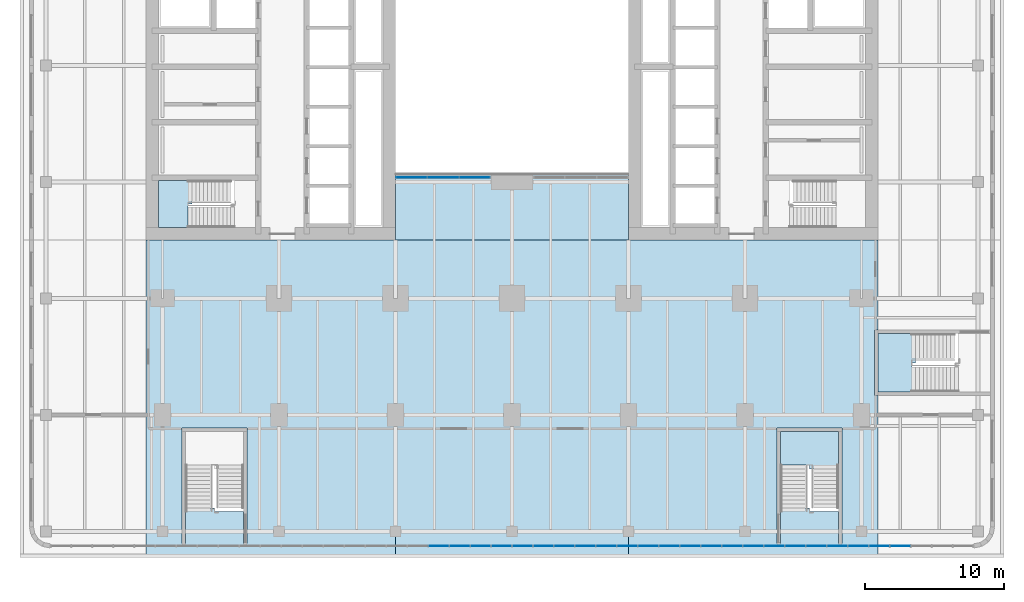
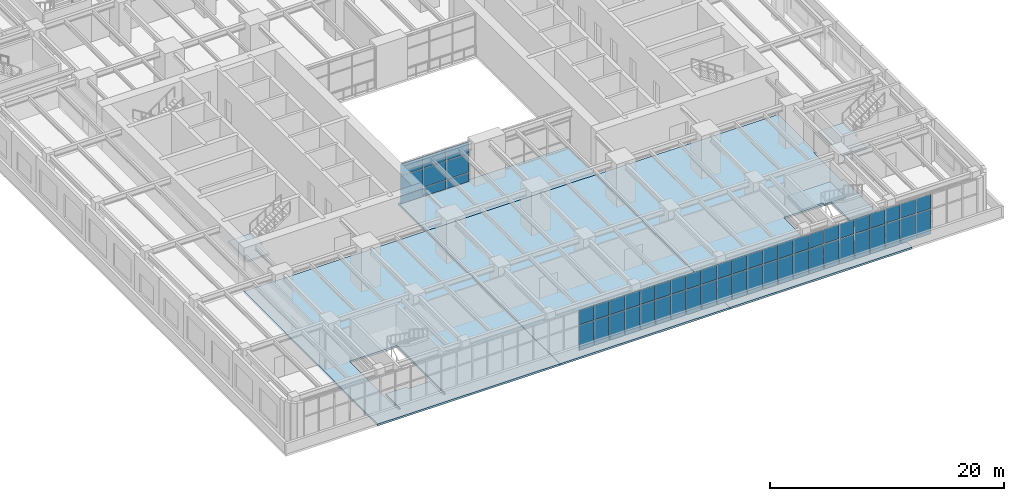
# One storey, part 14 of 30: 55 plates, 7 slabs, 5 elements without a shape of their own.
"""IFC4 building model written with IfcOpenShell, lengths in metres."""

import ifcopenshell
import ifcopenshell.guid

model = None  # the IFC model being written
_history = None  # IfcOwnerHistory: only IFC2X3 demands one
_inside = {}  # id of a spatial element -> (the spatial element, [elements in it])
_under = {}  # id of a project, library or spatial element -> (it, [spatial elements below it])
_declared = {}  # id of a project -> (the project, [libraries it declares])
_typed = {}  # id of a type object -> (the type object, [elements of that type])
_made_of = {}  # id of a material, layer set ... -> (it, [elements and type objects made of it])


def new_model(schema):
    """Start an empty IFC model of exactly this schema.

    Asked for "IFC4X3", IfcOpenShell would pick the latest addendum, in which some entities
    have other attributes; the version numbers below select the first issue.
    IFC2X3 requires an IfcOwnerHistory on every rooted entity: one is made here for all.
    """
    global model, _history
    if schema == "IFC4X3":
        model = ifcopenshell.file(schema_version=(4, 3, 0, 0))
    else:
        model = ifcopenshell.file(schema=schema)
    _inside.clear()
    _under.clear()
    _declared.clear()
    _typed.clear()
    _made_of.clear()
    _history = None
    if model.schema == "IFC2X3":
        org = make("IfcOrganization", Name="unknown")
        user = make(
            "IfcPersonAndOrganization",
            ThePerson=make("IfcPerson", FamilyName="unknown"),
            TheOrganization=org,
        )
        app = make(
            "IfcApplication",
            ApplicationDeveloper=org,
            Version="unknown",
            ApplicationFullName="unknown",
            ApplicationIdentifier="unknown",
        )
        _history = make(
            "IfcOwnerHistory",
            OwningUser=user,
            OwningApplication=app,
            ChangeAction="ADDED",
            CreationDate=0,
        )
    return model


def make(cls, **values):
    """One entity of the class cls with the attributes given. An attribute that is None is left unset."""
    return model.create_entity(
        cls, **{name: value for name, value in values.items() if value is not None}
    )


def rooted(cls, **values):
    """An entity with a GlobalId (a new one), such as an element, a storey or a relation."""
    return make(cls, GlobalId=ifcopenshell.guid.new(), OwnerHistory=_history, **values)


def si_unit(unit_type, name, prefix=None):
    """IfcSIUnit, for example si_unit("LENGTHUNIT", "METRE", prefix="MILLI")."""
    return make("IfcSIUnit", UnitType=unit_type, Prefix=prefix, Name=name)


def assignment(units):
    """IfcUnitAssignment: the units of a project."""
    return None if units is None else make("IfcUnitAssignment", Units=units)


def point(xyz):
    """IfcCartesianPoint."""
    return None if xyz is None else make("IfcCartesianPoint", Coordinates=xyz)


def direction(xyz):
    """IfcDirection."""
    return None if xyz is None else make("IfcDirection", DirectionRatios=xyz)


def frame(location, z_axis=None, x_axis=None):
    """IfcAxis2Placement3D, a coordinate frame: its origin and axes. An axis left out is left unset."""
    return make(
        "IfcAxis2Placement3D",
        Location=point(location),
        Axis=direction(z_axis),
        RefDirection=direction(x_axis),
    )


def frame_2d(location, x_axis=None):
    """IfcAxis2Placement2D, a coordinate frame in the plane: its origin and x axis."""
    return make(
        "IfcAxis2Placement2D", Location=point(location), RefDirection=direction(x_axis)
    )


def origin():
    """The frame at (0, 0, 0) with its axes left unset."""
    return frame((0.0, 0.0, 0.0))


def origin_2d():
    """The frame at (0, 0) in the plane with its x axis left unset."""
    return frame_2d((0.0, 0.0))


def place(relative_to, where):
    """IfcLocalPlacement: puts the frame where relative to a parent placement (None: the world)."""
    return make(
        "IfcLocalPlacement", PlacementRelTo=relative_to, RelativePlacement=where
    )


def context(
    kind, dimensions, precision=None, world=None, true_north=None, identifier=None
):
    """IfcGeometricRepresentationContext, for example the 3D "Model" context."""
    return make(
        "IfcGeometricRepresentationContext",
        ContextIdentifier=identifier,
        ContextType=kind,
        CoordinateSpaceDimension=dimensions,
        Precision=precision,
        WorldCoordinateSystem=world,
        TrueNorth=true_north,
    )


def subcontext(parent, identifier, kind, view, scale=None):
    """IfcGeometricRepresentationSubContext, for example "Body" below "Model"."""
    return make(
        "IfcGeometricRepresentationSubContext",
        ContextIdentifier=identifier,
        ContextType=kind,
        ParentContext=parent,
        TargetScale=scale,
        TargetView=view,
    )


def project(units=None, contexts=None):
    """IfcProject with its units and contexts."""
    return rooted(
        "IfcProject",
        Name="project",
        RepresentationContexts=contexts,
        UnitsInContext=assignment(units),
    )


def spatial(cls, under=None, at=None, **own):
    """A site, building, storey or space (cls), placed at a placement, below another one or the project."""
    s = rooted(cls, ObjectPlacement=at, **own)
    if under is not None:
        _under.setdefault(under.id(), (under, []))[1].append(s)
    return s


def polyline(points):
    """IfcPolyline through the points."""
    return make("IfcPolyline", Points=[point(p) for p in points])


def profile(cls, at=None, kind="AREA", **sizes):
    """A parametric profile (cls). Its sizes go by their IFC names, for example OverallWidth=200.0."""
    return make(cls, ProfileType=kind, Position=at, **sizes)


def rectangle(**sizes):
    """IfcRectangleProfileDef."""
    return profile("IfcRectangleProfileDef", **sizes)


def outline(outer, holes=None, kind="AREA"):
    """IfcArbitraryClosedProfileDef: a profile drawn as a closed curve; with holes, ...WithVoids."""
    if holes is None:
        return make("IfcArbitraryClosedProfileDef", ProfileType=kind, OuterCurve=outer)
    return make(
        "IfcArbitraryProfileDefWithVoids",
        ProfileType=kind,
        OuterCurve=outer,
        InnerCurves=holes,
    )


def extrude(swept, where, along, depth):
    """IfcExtrudedAreaSolid: the profile swept, set in the frame where, extruded along a direction by depth."""
    return make(
        "IfcExtrudedAreaSolid",
        SweptArea=swept,
        Position=where,
        ExtrudedDirection=direction(along),
        Depth=depth,
    )


def shape(context_of_items, identifier, shape_type, items):
    """IfcShapeRepresentation: the items that make up one representation, for example the "Body"."""
    return make(
        "IfcShapeRepresentation",
        ContextOfItems=context_of_items,
        RepresentationIdentifier=identifier,
        RepresentationType=shape_type,
        Items=items,
    )


def material(Name=None, Category=None):
    """IfcMaterial."""
    return make("IfcMaterial", Name=Name, Category=Category)


def layer(
    of_material, thickness, ventilated=None, Name=None, Category=None, Priority=None
):
    """IfcMaterialLayer: one layer of a wall or slab, of a material (None: an air gap)."""
    return make(
        "IfcMaterialLayer",
        Material=of_material,
        LayerThickness=thickness,
        IsVentilated=ventilated,
        Name=Name,
        Category=Category,
        Priority=Priority,
    )


def layer_set(layers, Name=None):
    """IfcMaterialLayerSet."""
    return make("IfcMaterialLayerSet", MaterialLayers=layers, LayerSetName=Name)


def made_of(thing, what):
    """Note that an element or type object is made of a material, layer set ...; save() writes the relation."""
    if what is not None:
        _made_of.setdefault(what.id(), (what, []))[1].append(thing)
    return thing


def type_object(cls, material=None, **own):
    """A type object (cls), such as IfcWallType, which elements share."""
    return made_of(rooted(cls, **own), material)


def element(
    cls,
    number,
    at=None,
    inside=None,
    cuts=None,
    type_object=None,
    material=None,
    context=None,
    identifier="Body",
    shape_type=None,
    held_by="IfcProductDefinitionShape",
    body=None,
    shapes=None,
    **own,
):
    """One element of the class cls, such as IfcWall. Its Tag is "e" and its number.

    at: its placement. inside: the storey or other place that contains it. cuts: it is an
    opening in that element (IfcRelVoidsElement). A single representation is given by context,
    identifier, shape_type and body (its items); several are given by shapes. held_by: the class
    of the entity that holds the representations. save() writes the other relations.
    """
    e = rooted(cls, Tag="e%d" % number, ObjectPlacement=at, **own)
    if body is not None:
        shapes = [shape(context, identifier, shape_type, body)]
    if shapes is not None:
        e.Representation = make(held_by, Representations=shapes)
    if inside is not None:
        _inside.setdefault(inside.id(), (inside, []))[1].append(e)
    if cuts is not None:
        rooted(
            "IfcRelVoidsElement", RelatingBuildingElement=cuts, RelatedOpeningElement=e
        )
    if type_object is not None:
        _typed.setdefault(type_object.id(), (type_object, []))[1].append(e)
    return made_of(e, material)


def aggregate(whole, parts):
    """IfcRelAggregates: a whole, such as a stair, and the parts it consists of."""
    return rooted("IfcRelAggregates", RelatingObject=whole, RelatedObjects=parts)


def save(model, path):
    """Write the relations noted so far, then the file.

    IfcRelAggregates (storeys below a building ...), IfcRelContainedInSpatialStructure (elements
    in a storey), IfcRelDefinesByType, IfcRelAssociatesMaterial and IfcRelDeclares: one each for
    every whole, place, type object, material and project.
    """
    for whole, parts in _under.values():
        aggregate(whole, parts)
    for where, things in _inside.values():
        rooted(
            "IfcRelContainedInSpatialStructure",
            RelatedElements=things,
            RelatingStructure=where,
        )
    for kind, things in _typed.values():
        rooted("IfcRelDefinesByType", RelatedObjects=things, RelatingType=kind)
    for what, things in _made_of.values():
        rooted("IfcRelAssociatesMaterial", RelatedObjects=things, RelatingMaterial=what)
    for by, libraries in _declared.values():
        rooted("IfcRelDeclares", RelatingContext=by, RelatedDefinitions=libraries)
    model.write(path)


model = new_model("IFC4")

# Units and contexts
model_context = context("Model", 3, precision=1e-05, world=origin(), true_north=direction((0.0, 1.0)))
body_context = subcontext(model_context, "Body", "Model", "MODEL_VIEW")
ifc_project = project(units=[si_unit("LENGTHUNIT", "METRE"), si_unit("AREAUNIT", "SQUARE_METRE"), si_unit("VOLUMEUNIT", "CUBIC_METRE"), si_unit("PLANEANGLEUNIT", "RADIAN"), si_unit("MASSUNIT", "GRAM", prefix="KILO")], contexts=[model_context])

# Site, building, storey
site_placement = place(None, origin())
site = spatial("IfcSite", under=ifc_project, at=site_placement, CompositionType="ELEMENT")
building_placement = place(site_placement, origin())
building = spatial("IfcBuilding", under=site, at=building_placement, Name="Claustro Exchange Tower", CompositionType="ELEMENT")
storey_placement = place(building_placement, frame((0.0, 0.0, 5.39990234375)))
storey = spatial("IfcBuildingStorey", under=building, at=storey_placement, Name="L01", CompositionType="ELEMENT", Elevation=5.39990234375)

# Curtain wall, plates
ifc_material_1 = material(Name="Aluminium frame, clear double glazing", Category="aluminium")
curtain_wall_type_1 = type_object("IfcCurtainWallType", Name="CW1 storefront curtain wall", PredefinedType="USERDEFINED", material=ifc_material_1)
curtain_wall_1_placement = place(storey_placement, origin())
curtain_wall_1 = element("IfcCurtainWall", 1, at=curtain_wall_1_placement, inside=storey, type_object=curtain_wall_type_1, Name="Curtain wall CW1 L01", ObjectType="STICK CURTAIN WALL", PredefinedType="USERDEFINED")
ifc_material_2 = material(Name="Clear double glazing", Category="glass")
ifc_layer_1 = layer(ifc_material_2, 0.031982421875)
ifc_layer_set_1 = layer_set([ifc_layer_1], Name="Clear double glazing")
plate_type_1 = type_object("IfcPlateType", Name="CW1-P 32 glazed panel", PredefinedType="CURTAIN_PANEL", material=ifc_layer_set_1)
plate_1_placement = place(storey_placement, frame((19.904541015625, -9.449951171875, 0.0751953125), z_axis=(0.0, 0.0, 1.0), x_axis=(1.0, 0.0, 0.0)))
plate_1 = element("IfcPlate", 2, at=plate_1_placement, type_object=plate_type_1, Name="CW1 panel 19.1", PredefinedType="CURTAIN_PANEL", context=body_context, shape_type="SweptSolid", body=[
    extrude(rectangle(XDim=1.43798828125, YDim=0.031982421875, at=origin_2d()), origin(), (0.0, 0.0, 1.0), 2.58740234375),
])
plate_2_placement = place(storey_placement, frame((19.904541015625, -9.449951171875, 2.73779296875), z_axis=(0.0, 0.0, 1.0), x_axis=(1.0, 0.0, 0.0)))
plate_2 = element("IfcPlate", 3, at=plate_2_placement, type_object=plate_type_1, Name="CW1 panel 19.2", PredefinedType="CURTAIN_PANEL", context=body_context, shape_type="SweptSolid", body=[
    extrude(rectangle(XDim=1.43798828125, YDim=0.031982421875, at=origin_2d()), origin(), (0.0, 0.0, 1.0), 1.487548828125),
])
plate_3_placement = place(storey_placement, frame((21.41748046875, -9.449951171875, 0.0751953125), z_axis=(0.0, 0.0, 1.0), x_axis=(1.0, 0.0, 0.0)))
plate_3 = element("IfcPlate", 4, at=plate_3_placement, type_object=plate_type_1, Name="CW1 panel 20.1", PredefinedType="CURTAIN_PANEL", context=body_context, shape_type="SweptSolid", body=[
    extrude(rectangle(XDim=1.43798828125, YDim=0.031982421875, at=origin_2d()), origin(), (0.0, 0.0, 1.0), 2.58740234375),
])
plate_4_placement = place(storey_placement, frame((21.41748046875, -9.449951171875, 2.73779296875), z_axis=(0.0, 0.0, 1.0), x_axis=(1.0, 0.0, 0.0)))
plate_4 = element("IfcPlate", 5, at=plate_4_placement, type_object=plate_type_1, Name="CW1 panel 20.2", PredefinedType="CURTAIN_PANEL", context=body_context, shape_type="SweptSolid", body=[
    extrude(rectangle(XDim=1.43798828125, YDim=0.031982421875, at=origin_2d()), origin(), (0.0, 0.0, 1.0), 1.487548828125),
])
plate_5_placement = place(storey_placement, frame((22.9306640625, -9.449951171875, 0.0751953125), z_axis=(0.0, 0.0, 1.0), x_axis=(1.0, 0.0, 0.0)))
plate_5 = element("IfcPlate", 6, at=plate_5_placement, type_object=plate_type_1, Name="CW1 panel 21.1", PredefinedType="CURTAIN_PANEL", context=body_context, shape_type="SweptSolid", body=[
    extrude(rectangle(XDim=1.43798828125, YDim=0.031982421875, at=origin_2d()), origin(), (0.0, 0.0, 1.0), 2.58740234375),
])
plate_6_placement = place(storey_placement, frame((22.9306640625, -9.449951171875, 2.73779296875), z_axis=(0.0, 0.0, 1.0), x_axis=(1.0, 0.0, 0.0)))
plate_6 = element("IfcPlate", 7, at=plate_6_placement, type_object=plate_type_1, Name="CW1 panel 21.2", PredefinedType="CURTAIN_PANEL", context=body_context, shape_type="SweptSolid", body=[
    extrude(rectangle(XDim=1.43798828125, YDim=0.031982421875, at=origin_2d()), origin(), (0.0, 0.0, 1.0), 1.487548828125),
])
plate_7_placement = place(storey_placement, frame((24.443603515625, -9.449951171875, 0.0751953125), z_axis=(0.0, 0.0, 1.0), x_axis=(1.0, 0.0, 0.0)))
plate_7 = element("IfcPlate", 8, at=plate_7_placement, type_object=plate_type_1, Name="CW1 panel 22.1", PredefinedType="CURTAIN_PANEL", context=body_context, shape_type="SweptSolid", body=[
    extrude(rectangle(XDim=1.43798828125, YDim=0.031982421875, at=origin_2d()), origin(), (0.0, 0.0, 1.0), 2.58740234375),
])
plate_8_placement = place(storey_placement, frame((24.443603515625, -9.449951171875, 2.73779296875), z_axis=(0.0, 0.0, 1.0), x_axis=(1.0, 0.0, 0.0)))
plate_8 = element("IfcPlate", 9, at=plate_8_placement, type_object=plate_type_1, Name="CW1 panel 22.2", PredefinedType="CURTAIN_PANEL", context=body_context, shape_type="SweptSolid", body=[
    extrude(rectangle(XDim=1.43798828125, YDim=0.031982421875, at=origin_2d()), origin(), (0.0, 0.0, 1.0), 1.487548828125),
])
plate_9_placement = place(storey_placement, frame((25.95654296875, -9.449951171875, 0.0751953125), z_axis=(0.0, 0.0, 1.0), x_axis=(1.0, 0.0, 0.0)))
plate_9 = element("IfcPlate", 10, at=plate_9_placement, type_object=plate_type_1, Name="CW1 panel 23.1", PredefinedType="CURTAIN_PANEL", context=body_context, shape_type="SweptSolid", body=[
    extrude(rectangle(XDim=1.43798828125, YDim=0.031982421875, at=origin_2d()), origin(), (0.0, 0.0, 1.0), 2.58740234375),
])
plate_10_placement = place(storey_placement, frame((25.95654296875, -9.449951171875, 2.73779296875), z_axis=(0.0, 0.0, 1.0), x_axis=(1.0, 0.0, 0.0)))
plate_10 = element("IfcPlate", 11, at=plate_10_placement, type_object=plate_type_1, Name="CW1 panel 23.2", PredefinedType="CURTAIN_PANEL", context=body_context, shape_type="SweptSolid", body=[
    extrude(rectangle(XDim=1.43798828125, YDim=0.031982421875, at=origin_2d()), origin(), (0.0, 0.0, 1.0), 1.487548828125),
])
plate_11_placement = place(storey_placement, frame((27.469482421875, -9.449951171875, 0.0751953125), z_axis=(0.0, 0.0, 1.0), x_axis=(1.0, 0.0, 0.0)))
plate_11 = element("IfcPlate", 12, at=plate_11_placement, type_object=plate_type_1, Name="CW1 panel 24.1", PredefinedType="CURTAIN_PANEL", context=body_context, shape_type="SweptSolid", body=[
    extrude(rectangle(XDim=1.43798828125, YDim=0.031982421875, at=origin_2d()), origin(), (0.0, 0.0, 1.0), 2.58740234375),
])
plate_12_placement = place(storey_placement, frame((27.469482421875, -9.449951171875, 2.73779296875), z_axis=(0.0, 0.0, 1.0), x_axis=(1.0, 0.0, 0.0)))
plate_12 = element("IfcPlate", 13, at=plate_12_placement, type_object=plate_type_1, Name="CW1 panel 24.2", PredefinedType="CURTAIN_PANEL", context=body_context, shape_type="SweptSolid", body=[
    extrude(rectangle(XDim=1.43798828125, YDim=0.031982421875, at=origin_2d()), origin(), (0.0, 0.0, 1.0), 1.487548828125),
])
plate_13_placement = place(storey_placement, frame((28.982421875, -9.449951171875, 0.0751953125), z_axis=(0.0, 0.0, 1.0), x_axis=(1.0, 0.0, 0.0)))
plate_13 = element("IfcPlate", 14, at=plate_13_placement, type_object=plate_type_1, Name="CW1 panel 25.1", PredefinedType="CURTAIN_PANEL", context=body_context, shape_type="SweptSolid", body=[
    extrude(rectangle(XDim=1.43798828125, YDim=0.031982421875, at=origin_2d()), origin(), (0.0, 0.0, 1.0), 2.58740234375),
])
plate_14_placement = place(storey_placement, frame((28.982421875, -9.449951171875, 2.73779296875), z_axis=(0.0, 0.0, 1.0), x_axis=(1.0, 0.0, 0.0)))
plate_14 = element("IfcPlate", 15, at=plate_14_placement, type_object=plate_type_1, Name="CW1 panel 25.2", PredefinedType="CURTAIN_PANEL", context=body_context, shape_type="SweptSolid", body=[
    extrude(rectangle(XDim=1.43798828125, YDim=0.031982421875, at=origin_2d()), origin(), (0.0, 0.0, 1.0), 1.487548828125),
])
plate_15_placement = place(storey_placement, frame((30.495361328125, -9.449951171875, 0.0751953125), z_axis=(0.0, 0.0, 1.0), x_axis=(1.0, 0.0, 0.0)))
plate_15 = element("IfcPlate", 16, at=plate_15_placement, type_object=plate_type_1, Name="CW1 panel 26.1", PredefinedType="CURTAIN_PANEL", context=body_context, shape_type="SweptSolid", body=[
    extrude(rectangle(XDim=1.43798828125, YDim=0.031982421875, at=origin_2d()), origin(), (0.0, 0.0, 1.0), 2.58740234375),
])
plate_16_placement = place(storey_placement, frame((30.495361328125, -9.449951171875, 2.73779296875), z_axis=(0.0, 0.0, 1.0), x_axis=(1.0, 0.0, 0.0)))
plate_16 = element("IfcPlate", 17, at=plate_16_placement, type_object=plate_type_1, Name="CW1 panel 26.2", PredefinedType="CURTAIN_PANEL", context=body_context, shape_type="SweptSolid", body=[
    extrude(rectangle(XDim=1.43798828125, YDim=0.031982421875, at=origin_2d()), origin(), (0.0, 0.0, 1.0), 1.487548828125),
])
plate_17_placement = place(storey_placement, frame((32.00830078125, -9.449951171875, 0.0751953125), z_axis=(0.0, 0.0, 1.0), x_axis=(1.0, 0.0, 0.0)))
plate_17 = element("IfcPlate", 18, at=plate_17_placement, type_object=plate_type_1, Name="CW1 panel 27.1", PredefinedType="CURTAIN_PANEL", context=body_context, shape_type="SweptSolid", body=[
    extrude(rectangle(XDim=1.43798828125, YDim=0.031982421875, at=origin_2d()), origin(), (0.0, 0.0, 1.0), 2.58740234375),
])
plate_18_placement = place(storey_placement, frame((32.00830078125, -9.449951171875, 2.73779296875), z_axis=(0.0, 0.0, 1.0), x_axis=(1.0, 0.0, 0.0)))
plate_18 = element("IfcPlate", 19, at=plate_18_placement, type_object=plate_type_1, Name="CW1 panel 27.2", PredefinedType="CURTAIN_PANEL", context=body_context, shape_type="SweptSolid", body=[
    extrude(rectangle(XDim=1.43798828125, YDim=0.031982421875, at=origin_2d()), origin(), (0.0, 0.0, 1.0), 1.487548828125),
])
plate_19_placement = place(storey_placement, frame((33.521240234375, -9.449951171875, 0.0751953125), z_axis=(0.0, 0.0, 1.0), x_axis=(1.0, 0.0, 0.0)))
plate_19 = element("IfcPlate", 20, at=plate_19_placement, type_object=plate_type_1, Name="CW1 panel 28.1", PredefinedType="CURTAIN_PANEL", context=body_context, shape_type="SweptSolid", body=[
    extrude(rectangle(XDim=1.43798828125, YDim=0.031982421875, at=origin_2d()), origin(), (0.0, 0.0, 1.0), 2.58740234375),
])
plate_20_placement = place(storey_placement, frame((33.521240234375, -9.449951171875, 2.73779296875), z_axis=(0.0, 0.0, 1.0), x_axis=(1.0, 0.0, 0.0)))
plate_20 = element("IfcPlate", 21, at=plate_20_placement, type_object=plate_type_1, Name="CW1 panel 28.2", PredefinedType="CURTAIN_PANEL", context=body_context, shape_type="SweptSolid", body=[
    extrude(rectangle(XDim=1.43798828125, YDim=0.031982421875, at=origin_2d()), origin(), (0.0, 0.0, 1.0), 1.487548828125),
])
plate_21_placement = place(storey_placement, frame((35.0341796875, -9.449951171875, 0.0751953125), z_axis=(0.0, 0.0, 1.0), x_axis=(1.0, 0.0, 0.0)))
plate_21 = element("IfcPlate", 22, at=plate_21_placement, type_object=plate_type_1, Name="CW1 panel 29.1", PredefinedType="CURTAIN_PANEL", context=body_context, shape_type="SweptSolid", body=[
    extrude(rectangle(XDim=1.43798828125, YDim=0.031982421875, at=origin_2d()), origin(), (0.0, 0.0, 1.0), 2.58740234375),
])
plate_22_placement = place(storey_placement, frame((35.0341796875, -9.449951171875, 2.73779296875), z_axis=(0.0, 0.0, 1.0), x_axis=(1.0, 0.0, 0.0)))
plate_22 = element("IfcPlate", 23, at=plate_22_placement, type_object=plate_type_1, Name="CW1 panel 29.2", PredefinedType="CURTAIN_PANEL", context=body_context, shape_type="SweptSolid", body=[
    extrude(rectangle(XDim=1.43798828125, YDim=0.031982421875, at=origin_2d()), origin(), (0.0, 0.0, 1.0), 1.487548828125),
])
plate_23_placement = place(storey_placement, frame((36.547119140625, -9.449951171875, 0.0751953125), z_axis=(0.0, 0.0, 1.0), x_axis=(1.0, 0.0, 0.0)))
plate_23 = element("IfcPlate", 24, at=plate_23_placement, type_object=plate_type_1, Name="CW1 panel 30.1", PredefinedType="CURTAIN_PANEL", context=body_context, shape_type="SweptSolid", body=[
    extrude(rectangle(XDim=1.43798828125, YDim=0.031982421875, at=origin_2d()), origin(), (0.0, 0.0, 1.0), 2.58740234375),
])
plate_24_placement = place(storey_placement, frame((36.547119140625, -9.449951171875, 2.73779296875), z_axis=(0.0, 0.0, 1.0), x_axis=(1.0, 0.0, 0.0)))
plate_24 = element("IfcPlate", 25, at=plate_24_placement, type_object=plate_type_1, Name="CW1 panel 30.2", PredefinedType="CURTAIN_PANEL", context=body_context, shape_type="SweptSolid", body=[
    extrude(rectangle(XDim=1.43798828125, YDim=0.031982421875, at=origin_2d()), origin(), (0.0, 0.0, 1.0), 1.487548828125),
])
plate_25_placement = place(storey_placement, frame((38.060302734375, -9.449951171875, 0.0751953125), z_axis=(0.0, 0.0, 1.0), x_axis=(1.0, 0.0, 0.0)))
plate_25 = element("IfcPlate", 26, at=plate_25_placement, type_object=plate_type_1, Name="CW1 panel 31.1", PredefinedType="CURTAIN_PANEL", context=body_context, shape_type="SweptSolid", body=[
    extrude(rectangle(XDim=1.43798828125, YDim=0.031982421875, at=origin_2d()), origin(), (0.0, 0.0, 1.0), 2.58740234375),
])
plate_26_placement = place(storey_placement, frame((38.060302734375, -9.449951171875, 2.73779296875), z_axis=(0.0, 0.0, 1.0), x_axis=(1.0, 0.0, 0.0)))
plate_26 = element("IfcPlate", 27, at=plate_26_placement, type_object=plate_type_1, Name="CW1 panel 31.2", PredefinedType="CURTAIN_PANEL", context=body_context, shape_type="SweptSolid", body=[
    extrude(rectangle(XDim=1.43798828125, YDim=0.031982421875, at=origin_2d()), origin(), (0.0, 0.0, 1.0), 1.487548828125),
])
plate_27_placement = place(storey_placement, frame((39.5732421875, -9.449951171875, 0.0751953125), z_axis=(0.0, 0.0, 1.0), x_axis=(1.0, 0.0, 0.0)))
plate_27 = element("IfcPlate", 28, at=plate_27_placement, type_object=plate_type_1, Name="CW1 panel 32.1", PredefinedType="CURTAIN_PANEL", context=body_context, shape_type="SweptSolid", body=[
    extrude(rectangle(XDim=1.43798828125, YDim=0.031982421875, at=origin_2d()), origin(), (0.0, 0.0, 1.0), 2.58740234375),
])
plate_28_placement = place(storey_placement, frame((39.5732421875, -9.449951171875, 2.73779296875), z_axis=(0.0, 0.0, 1.0), x_axis=(1.0, 0.0, 0.0)))
plate_28 = element("IfcPlate", 29, at=plate_28_placement, type_object=plate_type_1, Name="CW1 panel 32.2", PredefinedType="CURTAIN_PANEL", context=body_context, shape_type="SweptSolid", body=[
    extrude(rectangle(XDim=1.43798828125, YDim=0.031982421875, at=origin_2d()), origin(), (0.0, 0.0, 1.0), 1.487548828125),
])
plate_29_placement = place(storey_placement, frame((41.086181640625, -9.449951171875, 0.0751953125), z_axis=(0.0, 0.0, 1.0), x_axis=(1.0, 0.0, 0.0)))
plate_29 = element("IfcPlate", 30, at=plate_29_placement, type_object=plate_type_1, Name="CW1 panel 33.1", PredefinedType="CURTAIN_PANEL", context=body_context, shape_type="SweptSolid", body=[
    extrude(rectangle(XDim=1.43798828125, YDim=0.031982421875, at=origin_2d()), origin(), (0.0, 0.0, 1.0), 2.58740234375),
])
plate_30_placement = place(storey_placement, frame((41.086181640625, -9.449951171875, 2.73779296875), z_axis=(0.0, 0.0, 1.0), x_axis=(1.0, 0.0, 0.0)))
plate_30 = element("IfcPlate", 31, at=plate_30_placement, type_object=plate_type_1, Name="CW1 panel 33.2", PredefinedType="CURTAIN_PANEL", context=body_context, shape_type="SweptSolid", body=[
    extrude(rectangle(XDim=1.43798828125, YDim=0.031982421875, at=origin_2d()), origin(), (0.0, 0.0, 1.0), 1.487548828125),
])
plate_31_placement = place(storey_placement, frame((42.59912109375, -9.449951171875, 0.0751953125), z_axis=(0.0, 0.0, 1.0), x_axis=(1.0, 0.0, 0.0)))
plate_31 = element("IfcPlate", 32, at=plate_31_placement, type_object=plate_type_1, Name="CW1 panel 34.1", PredefinedType="CURTAIN_PANEL", context=body_context, shape_type="SweptSolid", body=[
    extrude(rectangle(XDim=1.43798828125, YDim=0.031982421875, at=origin_2d()), origin(), (0.0, 0.0, 1.0), 2.58740234375),
])
plate_32_placement = place(storey_placement, frame((42.59912109375, -9.449951171875, 2.73779296875), z_axis=(0.0, 0.0, 1.0), x_axis=(1.0, 0.0, 0.0)))
plate_32 = element("IfcPlate", 33, at=plate_32_placement, type_object=plate_type_1, Name="CW1 panel 34.2", PredefinedType="CURTAIN_PANEL", context=body_context, shape_type="SweptSolid", body=[
    extrude(rectangle(XDim=1.43798828125, YDim=0.031982421875, at=origin_2d()), origin(), (0.0, 0.0, 1.0), 1.487548828125),
])
plate_33_placement = place(storey_placement, frame((44.112060546875, -9.449951171875, 0.0751953125), z_axis=(0.0, 0.0, 1.0), x_axis=(1.0, 0.0, 0.0)))
plate_33 = element("IfcPlate", 34, at=plate_33_placement, type_object=plate_type_1, Name="CW1 panel 35.1", PredefinedType="CURTAIN_PANEL", context=body_context, shape_type="SweptSolid", body=[
    extrude(rectangle(XDim=1.43798828125, YDim=0.031982421875, at=origin_2d()), origin(), (0.0, 0.0, 1.0), 2.58740234375),
])
plate_34_placement = place(storey_placement, frame((44.112060546875, -9.449951171875, 2.73779296875), z_axis=(0.0, 0.0, 1.0), x_axis=(1.0, 0.0, 0.0)))
plate_34 = element("IfcPlate", 35, at=plate_34_placement, type_object=plate_type_1, Name="CW1 panel 35.2", PredefinedType="CURTAIN_PANEL", context=body_context, shape_type="SweptSolid", body=[
    extrude(rectangle(XDim=1.43798828125, YDim=0.031982421875, at=origin_2d()), origin(), (0.0, 0.0, 1.0), 1.487548828125),
])
plate_35_placement = place(storey_placement, frame((45.625, -9.449951171875, 0.0751953125), z_axis=(0.0, 0.0, 1.0), x_axis=(1.0, 0.0, 0.0)))
plate_35 = element("IfcPlate", 36, at=plate_35_placement, type_object=plate_type_1, Name="CW1 panel 36.1", PredefinedType="CURTAIN_PANEL", context=body_context, shape_type="SweptSolid", body=[
    extrude(rectangle(XDim=1.43798828125, YDim=0.031982421875, at=origin_2d()), origin(), (0.0, 0.0, 1.0), 2.58740234375),
])
plate_36_placement = place(storey_placement, frame((45.625, -9.449951171875, 2.73779296875), z_axis=(0.0, 0.0, 1.0), x_axis=(1.0, 0.0, 0.0)))
plate_36 = element("IfcPlate", 37, at=plate_36_placement, type_object=plate_type_1, Name="CW1 panel 36.2", PredefinedType="CURTAIN_PANEL", context=body_context, shape_type="SweptSolid", body=[
    extrude(rectangle(XDim=1.43798828125, YDim=0.031982421875, at=origin_2d()), origin(), (0.0, 0.0, 1.0), 1.487548828125),
])
plate_37_placement = place(storey_placement, frame((47.137939453125, -9.449951171875, 0.0751953125), z_axis=(0.0, 0.0, 1.0), x_axis=(1.0, 0.0, 0.0)))
plate_37 = element("IfcPlate", 38, at=plate_37_placement, type_object=plate_type_1, Name="CW1 panel 37.1", PredefinedType="CURTAIN_PANEL", context=body_context, shape_type="SweptSolid", body=[
    extrude(rectangle(XDim=1.43798828125, YDim=0.031982421875, at=origin_2d()), origin(), (0.0, 0.0, 1.0), 2.58740234375),
])
plate_38_placement = place(storey_placement, frame((47.137939453125, -9.449951171875, 2.73779296875), z_axis=(0.0, 0.0, 1.0), x_axis=(1.0, 0.0, 0.0)))
plate_38 = element("IfcPlate", 39, at=plate_38_placement, type_object=plate_type_1, Name="CW1 panel 37.2", PredefinedType="CURTAIN_PANEL", context=body_context, shape_type="SweptSolid", body=[
    extrude(rectangle(XDim=1.43798828125, YDim=0.031982421875, at=origin_2d()), origin(), (0.0, 0.0, 1.0), 1.487548828125),
])
plate_39_placement = place(storey_placement, frame((48.65087890625, -9.449951171875, 0.0751953125), z_axis=(0.0, 0.0, 1.0), x_axis=(1.0, 0.0, 0.0)))
plate_39 = element("IfcPlate", 40, at=plate_39_placement, type_object=plate_type_1, Name="CW1 panel 38.1", PredefinedType="CURTAIN_PANEL", context=body_context, shape_type="SweptSolid", body=[
    extrude(rectangle(XDim=1.43798828125, YDim=0.031982421875, at=origin_2d()), origin(), (0.0, 0.0, 1.0), 2.58740234375),
])
plate_40_placement = place(storey_placement, frame((48.65087890625, -9.449951171875, 2.73779296875), z_axis=(0.0, 0.0, 1.0), x_axis=(1.0, 0.0, 0.0)))
plate_40 = element("IfcPlate", 41, at=plate_40_placement, type_object=plate_type_1, Name="CW1 panel 38.2", PredefinedType="CURTAIN_PANEL", context=body_context, shape_type="SweptSolid", body=[
    extrude(rectangle(XDim=1.43798828125, YDim=0.031982421875, at=origin_2d()), origin(), (0.0, 0.0, 1.0), 1.487548828125),
])
plate_41_placement = place(storey_placement, frame((50.163818359375, -9.449951171875, 0.0751953125), z_axis=(0.0, 0.0, 1.0), x_axis=(1.0, 0.0, 0.0)))
plate_41 = element("IfcPlate", 42, at=plate_41_placement, type_object=plate_type_1, Name="CW1 panel 39.1", PredefinedType="CURTAIN_PANEL", context=body_context, shape_type="SweptSolid", body=[
    extrude(rectangle(XDim=1.43798828125, YDim=0.031982421875, at=origin_2d()), origin(), (0.0, 0.0, 1.0), 2.58740234375),
])
plate_42_placement = place(storey_placement, frame((50.163818359375, -9.449951171875, 2.73779296875), z_axis=(0.0, 0.0, 1.0), x_axis=(1.0, 0.0, 0.0)))
plate_42 = element("IfcPlate", 43, at=plate_42_placement, type_object=plate_type_1, Name="CW1 panel 39.2", PredefinedType="CURTAIN_PANEL", context=body_context, shape_type="SweptSolid", body=[
    extrude(rectangle(XDim=1.43798828125, YDim=0.031982421875, at=origin_2d()), origin(), (0.0, 0.0, 1.0), 1.487548828125),
])
plate_43_placement = place(storey_placement, frame((51.6767578125, -9.449951171875, 0.0751953125), z_axis=(0.0, 0.0, 1.0), x_axis=(1.0, 0.0, 0.0)))
plate_43 = element("IfcPlate", 44, at=plate_43_placement, type_object=plate_type_1, Name="CW1 panel 40.1", PredefinedType="CURTAIN_PANEL", context=body_context, shape_type="SweptSolid", body=[
    extrude(rectangle(XDim=1.43798828125, YDim=0.031982421875, at=origin_2d()), origin(), (0.0, 0.0, 1.0), 2.58740234375),
])
plate_44_placement = place(storey_placement, frame((51.6767578125, -9.449951171875, 2.73779296875), z_axis=(0.0, 0.0, 1.0), x_axis=(1.0, 0.0, 0.0)))
plate_44 = element("IfcPlate", 45, at=plate_44_placement, type_object=plate_type_1, Name="CW1 panel 40.2", PredefinedType="CURTAIN_PANEL", context=body_context, shape_type="SweptSolid", body=[
    extrude(rectangle(XDim=1.43798828125, YDim=0.031982421875, at=origin_2d()), origin(), (0.0, 0.0, 1.0), 1.487548828125),
])
plate_45_placement = place(storey_placement, frame((53.18994140625, -9.449951171875, 0.0751953125), z_axis=(0.0, 0.0, 1.0), x_axis=(1.0, 0.0, 0.0)))
plate_45 = element("IfcPlate", 46, at=plate_45_placement, type_object=plate_type_1, Name="CW1 panel 41.1", PredefinedType="CURTAIN_PANEL", context=body_context, shape_type="SweptSolid", body=[
    extrude(rectangle(XDim=1.43798828125, YDim=0.031982421875, at=origin_2d()), origin(), (0.0, 0.0, 1.0), 2.58740234375),
])
plate_46_placement = place(storey_placement, frame((53.18994140625, -9.449951171875, 2.73779296875), z_axis=(0.0, 0.0, 1.0), x_axis=(1.0, 0.0, 0.0)))
plate_46 = element("IfcPlate", 47, at=plate_46_placement, type_object=plate_type_1, Name="CW1 panel 41.2", PredefinedType="CURTAIN_PANEL", context=body_context, shape_type="SweptSolid", body=[
    extrude(rectangle(XDim=1.43798828125, YDim=0.031982421875, at=origin_2d()), origin(), (0.0, 0.0, 1.0), 1.487548828125),
])
aggregate(curtain_wall_1, [plate_1, plate_2, plate_3, plate_4, plate_5, plate_6, plate_7, plate_8, plate_9, plate_10, plate_11, plate_12, plate_13, plate_14, plate_15, plate_16, plate_17, plate_18, plate_19, plate_20, plate_21, plate_22, plate_23, plate_24, plate_25, plate_26, plate_27, plate_28, plate_29, plate_30, plate_31, plate_32, plate_33, plate_34, plate_35, plate_36, plate_37, plate_38, plate_39, plate_40, plate_41, plate_42, plate_43, plate_44, plate_45, plate_46])

ifc_material_3 = material(Name="Aluminium frame, clear double glazing", Category="aluminium")
curtain_wall_type_2 = type_object("IfcCurtainWallType", Name="CW3 light well curtain wall", PredefinedType="USERDEFINED", material=ifc_material_3)
curtain_wall_2_placement = place(storey_placement, origin())
curtain_wall_2 = element("IfcCurtainWall", 48, at=curtain_wall_2_placement, inside=storey, type_object=curtain_wall_type_2, Name="Curtain wall CW3 L01", ObjectType="STICK CURTAIN WALL", PredefinedType="USERDEFINED")
ifc_material_4 = material(Name="Clear double glazing", Category="glass")
ifc_layer_2 = layer(ifc_material_4, 0.030029296875)
ifc_layer_set_2 = layer_set([ifc_layer_2], Name="Clear double glazing")
plate_type_2 = type_object("IfcPlateType", Name="CW3-P 30 glazed panel", PredefinedType="CURTAIN_PANEL", material=ifc_layer_set_2)
plate_47_placement = place(storey_placement, frame((17.962158203125, 17.10009765625, 0.06494140625), z_axis=(0.0, 0.0, 1.0), x_axis=(1.0, 0.0, 0.0)))
plate_47 = element("IfcPlate", 49, at=plate_47_placement, type_object=plate_type_2, Name="CW3 panel 1.1", PredefinedType="CURTAIN_PANEL", context=body_context, shape_type="SweptSolid", body=[
    extrude(rectangle(XDim=2.194091796875, YDim=0.030029296875, at=origin_2d()), origin(), (0.0, 0.0, 1.0), 0.902587890625),
])
plate_48_placement = place(storey_placement, frame((17.962158203125, 17.10009765625, 1.032470703125), z_axis=(0.0, 0.0, 1.0), x_axis=(1.0, 0.0, 0.0)))
plate_48 = element("IfcPlate", 50, at=plate_48_placement, type_object=plate_type_2, Name="CW3 panel 1.2", PredefinedType="CURTAIN_PANEL", context=body_context, shape_type="SweptSolid", body=[
    extrude(rectangle(XDim=2.194091796875, YDim=0.030029296875, at=origin_2d()), origin(), (0.0, 0.0, 1.0), 1.93505859375),
])
plate_49_placement = place(storey_placement, frame((17.962158203125, 17.10009765625, 3.03271484375), z_axis=(0.0, 0.0, 1.0), x_axis=(1.0, 0.0, 0.0)))
plate_49 = element("IfcPlate", 51, at=plate_49_placement, type_object=plate_type_2, Name="CW3 panel 1.3", PredefinedType="CURTAIN_PANEL", context=body_context, shape_type="SweptSolid", body=[
    extrude(rectangle(XDim=2.194091796875, YDim=0.030029296875, at=origin_2d()), origin(), (0.0, 0.0, 1.0), 1.202392578125),
])
plate_50_placement = place(storey_placement, frame((20.237548828125, 17.10009765625, 0.06494140625), z_axis=(0.0, 0.0, 1.0), x_axis=(1.0, 0.0, 0.0)))
plate_50 = element("IfcPlate", 52, at=plate_50_placement, type_object=plate_type_2, Name="CW3 panel 2.1", PredefinedType="CURTAIN_PANEL", context=body_context, shape_type="SweptSolid", body=[
    extrude(rectangle(XDim=2.2265625, YDim=0.030029296875, at=origin_2d()), origin(), (0.0, 0.0, 1.0), 0.902587890625),
])
plate_51_placement = place(storey_placement, frame((20.237548828125, 17.10009765625, 1.032470703125), z_axis=(0.0, 0.0, 1.0), x_axis=(1.0, 0.0, 0.0)))
plate_51 = element("IfcPlate", 53, at=plate_51_placement, type_object=plate_type_2, Name="CW3 panel 2.2", PredefinedType="CURTAIN_PANEL", context=body_context, shape_type="SweptSolid", body=[
    extrude(rectangle(XDim=2.2265625, YDim=0.030029296875, at=origin_2d()), origin(), (0.0, 0.0, 1.0), 1.93505859375),
])
plate_52_placement = place(storey_placement, frame((20.237548828125, 17.10009765625, 3.03271484375), z_axis=(0.0, 0.0, 1.0), x_axis=(1.0, 0.0, 0.0)))
plate_52 = element("IfcPlate", 54, at=plate_52_placement, type_object=plate_type_2, Name="CW3 panel 2.3", PredefinedType="CURTAIN_PANEL", context=body_context, shape_type="SweptSolid", body=[
    extrude(rectangle(XDim=2.2265625, YDim=0.030029296875, at=origin_2d()), origin(), (0.0, 0.0, 1.0), 1.202392578125),
])
plate_53_placement = place(storey_placement, frame((22.512939453125, 17.10009765625, 0.06494140625), z_axis=(0.0, 0.0, 1.0), x_axis=(1.0, 0.0, 0.0)))
plate_53 = element("IfcPlate", 55, at=plate_53_placement, type_object=plate_type_2, Name="CW3 panel 3.1", PredefinedType="CURTAIN_PANEL", context=body_context, shape_type="SweptSolid", body=[
    extrude(rectangle(XDim=2.194091796875, YDim=0.030029296875, at=origin_2d()), origin(), (0.0, 0.0, 1.0), 0.902587890625),
])
plate_54_placement = place(storey_placement, frame((22.512939453125, 17.10009765625, 1.032470703125), z_axis=(0.0, 0.0, 1.0), x_axis=(1.0, 0.0, 0.0)))
plate_54 = element("IfcPlate", 56, at=plate_54_placement, type_object=plate_type_2, Name="CW3 panel 3.2", PredefinedType="CURTAIN_PANEL", context=body_context, shape_type="SweptSolid", body=[
    extrude(rectangle(XDim=2.194091796875, YDim=0.030029296875, at=origin_2d()), origin(), (0.0, 0.0, 1.0), 1.93505859375),
])
plate_55_placement = place(storey_placement, frame((22.512939453125, 17.10009765625, 3.03271484375), z_axis=(0.0, 0.0, 1.0), x_axis=(1.0, 0.0, 0.0)))
plate_55 = element("IfcPlate", 57, at=plate_55_placement, type_object=plate_type_2, Name="CW3 panel 3.3", PredefinedType="CURTAIN_PANEL", context=body_context, shape_type="SweptSolid", body=[
    extrude(rectangle(XDim=2.194091796875, YDim=0.030029296875, at=origin_2d()), origin(), (0.0, 0.0, 1.0), 1.202392578125),
])
aggregate(curtain_wall_2, [plate_47, plate_48, plate_49, plate_50, plate_51, plate_52, plate_53, plate_54, plate_55])

# Slabs
ifc_material_5 = material(Name="Concrete HA-50 (C50/60)", Category="concrete")
ifc_layer_3 = layer(ifc_material_5, 0.199951171875)
ifc_layer_set_3 = layer_set([ifc_layer_3], Name="Concrete HA-50 (C50/60)")
slab_type_1 = type_object("IfcSlabType", Name="S3 200 plant floor slab", PredefinedType="FLOOR", material=ifc_layer_set_3)
slab_1_placement = place(storey_placement, frame((0.0, 0.0, -0.199951171875)))
element("IfcSlab", 58, at=slab_1_placement, inside=storey, type_object=slab_type_1, Name="Floor slab S3 S L01", PredefinedType="FLOOR", context=body_context, shape_type="SweptSolid", body=[
    extrude(outline(polyline([(16.800048828125, -10.27490234375), (33.60009765625, -10.27490234375), (33.60009765625, 12.60009765625), (16.800048828125, 12.60009765625), (16.800048828125, -10.27490234375)])), origin(), (0.0, 0.0, 1.0), 0.199951171875),
])
slab_2_placement = place(storey_placement, frame((0.0, 0.0, -0.199951171875)))
element("IfcSlab", 59, at=slab_2_placement, inside=storey, type_object=slab_type_1, Name="Floor slab S3 S L01", PredefinedType="FLOOR", context=body_context, shape_type="SweptSolid", body=[
    extrude(outline(polyline([(33.60009765625, -10.27490234375), (51.60009765625, -10.27490234375), (51.60009765625, 1.39990234375), (51.35009765625, 1.39990234375), (51.35009765625, 6.10009765625), (51.60009765625, 6.10009765625), (51.60009765625, 12.60009765625), (33.60009765625, 12.60009765625), (33.60009765625, -10.27490234375)]), holes=[polyline([(46.64990234375, -6.699951171875), (44.550048828125, -6.699951171875), (44.550048828125, -9.280029296875), (44.300048828125, -9.280029296875), (44.300048828125, -1.199951171875), (44.300048828125, -0.949951171875), (49.0, -0.949951171875), (49.0, -1.199951171875), (49.0, -9.280029296875), (48.75, -9.280029296875), (48.75, -6.97509765625), (46.64990234375, -6.97509765625), (46.64990234375, -6.699951171875)])]), origin(), (0.0, 0.0, 1.0), 0.199951171875),
])
slab_3_placement = place(storey_placement, frame((0.0, 0.0, -0.199951171875)))
element("IfcSlab", 60, at=slab_3_placement, inside=storey, type_object=slab_type_1, Name="Floor slab S3 S L01", PredefinedType="FLOOR", context=body_context, shape_type="SweptSolid", body=[
    extrude(outline(polyline([(-1.199951171875, -10.27490234375), (16.800048828125, -10.27490234375), (16.800048828125, 12.60009765625), (-1.199951171875, 12.60009765625), (-1.199951171875, -10.27490234375)]), holes=[polyline([(3.75, -6.699951171875), (1.64990234375, -6.699951171875), (1.64990234375, -9.280029296875), (1.39990234375, -9.280029296875), (1.39990234375, -1.199951171875), (1.39990234375, -0.949951171875), (6.10009765625, -0.949951171875), (6.10009765625, -1.199951171875), (6.10009765625, -9.280029296875), (5.85009765625, -9.280029296875), (5.85009765625, -6.97509765625), (3.75, -6.97509765625), (3.75, -6.699951171875)])]), origin(), (0.0, 0.0, 1.0), 0.199951171875),
])
slab_4_placement = place(storey_placement, frame((0.0, 0.0, -0.199951171875)))
element("IfcSlab", 61, at=slab_4_placement, inside=storey, type_object=slab_type_1, Name="Floor slab S3 E L01", PredefinedType="FLOOR", context=body_context, shape_type="SweptSolid", body=[
    extrude(outline(polyline([(16.800048828125, 17.39990234375), (16.800048828125, 12.60009765625), (33.60009765625, 12.60009765625), (33.60009765625, 17.39990234375), (16.800048828125, 17.39990234375)])), origin(), (0.0, 0.0, 1.0), 0.199951171875),
])

# Stair, slab
ifc_material_6 = material(Name="Concrete HA-30 (C30/37), precast", Category="concrete")
stair_type_1 = type_object("IfcStairType", Name="ST2 half-turn stair, 25 risers of 180", PredefinedType="HALF_TURN_STAIR", material=ifc_material_6)
stair_1_placement = place(storey_placement, origin())
stair_1 = element("IfcStair", 62, at=stair_1_placement, inside=storey, type_object=stair_type_1, Name="Stair STWA L01", PredefinedType="HALF_TURN_STAIR")
ifc_material_7 = material(Name="Concrete HA-30 (C30/37), precast", Category="concrete")
ifc_layer_4 = layer(ifc_material_7, 0.199951171875)
ifc_layer_set_4 = layer_set([ifc_layer_4], Name="Concrete HA-30 (C30/37), precast")
slab_type_2 = type_object("IfcSlabType", Name="S9 200 stair landing", PredefinedType="LANDING", material=ifc_layer_set_4)
slab_5_placement = place(storey_placement, frame((0.0, 0.0, 2.14013671875)))
slab_5 = element("IfcSlab", 63, at=slab_5_placement, type_object=slab_type_2, Name="STWA landing 1", PredefinedType="LANDING", context=body_context, shape_type="SweptSolid", body=[
    extrude(outline(polyline([(1.844970703125, 13.5), (-0.300048828125, 13.5), (-0.300048828125, 16.89990234375), (1.840087890625, 16.89990234375), (1.844970703125, 16.89990234375), (2.1201171875, 16.89990234375), (2.1201171875, 15.199951171875), (1.844970703125, 15.199951171875), (1.844970703125, 13.5)])), origin(), (0.0, 0.0, 1.0), 0.199951171875),
])
aggregate(stair_1, [slab_5])

ifc_material_8 = material(Name="Concrete HA-30 (C30/37), precast", Category="concrete")
stair_type_2 = type_object("IfcStairType", Name="ST5 half-turn podium escape stair, 25 risers of 180, 1800 flights", PredefinedType="HALF_TURN_STAIR", material=ifc_material_8)
stair_2_placement = place(storey_placement, origin())
stair_2 = element("IfcStair", 64, at=stair_2_placement, inside=storey, type_object=stair_type_2, Name="Stair STP2 L01", PredefinedType="HALF_TURN_STAIR")
slab_6_placement = place(storey_placement, frame((0.0, 0.0, 2.14013671875)))
slab_6 = element("IfcSlab", 65, at=slab_6_placement, type_object=slab_type_2, Name="STP2 landing 1", PredefinedType="LANDING", context=body_context, shape_type="SweptSolid", body=[
    extrude(outline(polyline([(48.75, -3.89990234375), (46.64990234375, -3.89990234375), (46.64990234375, -3.625), (44.550048828125, -3.625), (44.550048828125, -1.199951171875), (48.75, -1.199951171875), (48.75, -3.6201171875), (48.75, -3.625), (48.75, -3.89990234375)])), origin(), (0.0, 0.0, 1.0), 0.199951171875),
])
aggregate(stair_2, [slab_6])

stair_3_placement = place(storey_placement, origin())
stair_3 = element("IfcStair", 66, at=stair_3_placement, inside=storey, type_object=stair_type_2, Name="Stair STP6 L01", PredefinedType="HALF_TURN_STAIR")
slab_7_placement = place(storey_placement, frame((0.0, 0.0, 2.14013671875)))
slab_7 = element("IfcSlab", 67, at=slab_7_placement, type_object=slab_type_2, Name="STP6 landing 1", PredefinedType="LANDING", context=body_context, shape_type="SweptSolid", body=[
    extrude(outline(polyline([(54.02490234375, 1.64990234375), (51.60009765625, 1.64990234375), (51.60009765625, 5.85009765625), (54.02001953125, 5.85009765625), (54.02490234375, 5.85009765625), (54.300048828125, 5.85009765625), (54.300048828125, 3.75), (54.02490234375, 3.75), (54.02490234375, 1.64990234375)])), origin(), (0.0, 0.0, 1.0), 0.199951171875),
])
aggregate(stair_3, [slab_7])

save(model, "model.ifc")
